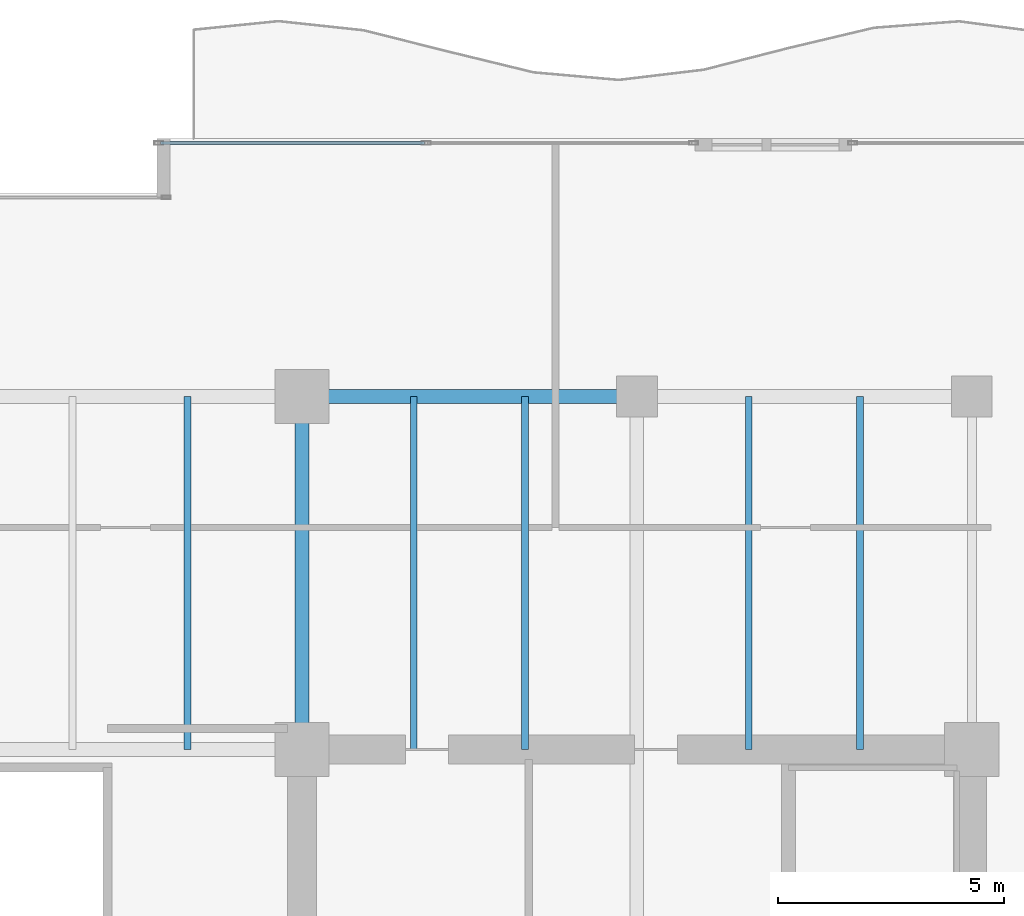
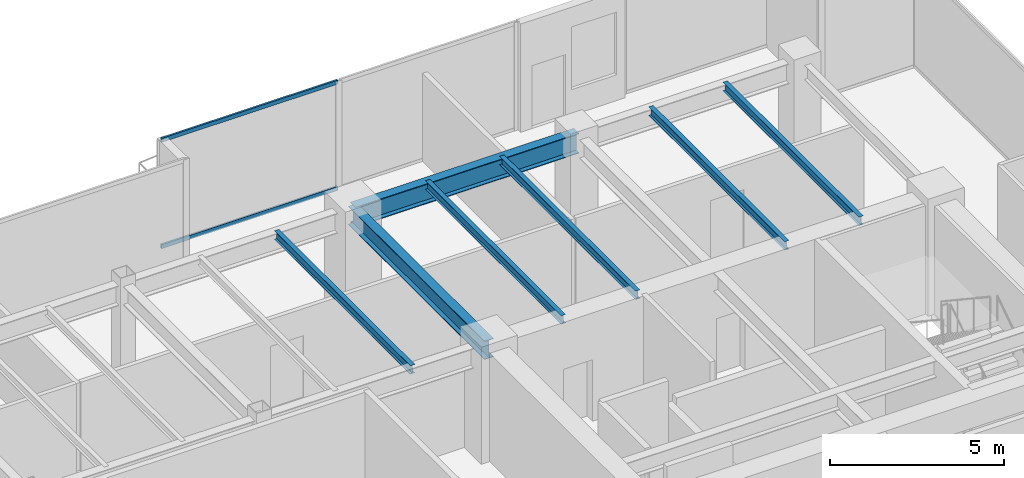
# One storey, part 17 of 30: 7 beams, 2 members, 1 element without a shape of its own.
"""IFC4 building model written with IfcOpenShell, lengths in metres."""

from ifc_helpers import new_model, si_unit, direction, frame, origin, origin_2d, place, context, subcontext, project, spatial, hollow_rectangle, i_section, extrude, source, transform, mapped, material, layer, layer_set, material_profile, profile_set, type_object, type_shapes, element, aggregate, save


model = new_model("IFC4")

# Units and contexts
model_context = context("Model", 3, precision=1e-05, world=origin(), true_north=direction((0.0, 1.0)))
body_context = subcontext(model_context, "Body", "Model", "MODEL_VIEW")
ifc_project = project(units=[si_unit("LENGTHUNIT", "METRE"), si_unit("AREAUNIT", "SQUARE_METRE"), si_unit("VOLUMEUNIT", "CUBIC_METRE"), si_unit("PLANEANGLEUNIT", "RADIAN"), si_unit("MASSUNIT", "GRAM", prefix="KILO")], contexts=[model_context])

# Site, building, storey
site_placement = place(None, origin())
site = spatial("IfcSite", under=ifc_project, at=site_placement, CompositionType="ELEMENT")
building_placement = place(site_placement, origin())
building = spatial("IfcBuilding", under=site, at=building_placement, Name="Haelvirn Gate Laboratories", CompositionType="ELEMENT")
storey_placement = place(building_placement, frame((0.0, 0.0, 113.300048828125)))
storey = spatial("IfcBuildingStorey", under=building, at=storey_placement, Name="L27", CompositionType="ELEMENT", Elevation=113.300048828125)

# Beams
ifc_material_1 = material(Name="Steel SM355", Category="steel")
ifc_material_profile_1 = material_profile(ifc_material_1, i_section(OverallWidth=0.300048828125, OverallDepth=0.64990234375, WebThickness=0.012939453125, FlangeThickness=0.02197265625, at=origin_2d()), Name="H-650x300x13x22")
ifc_profile_set_1 = profile_set([ifc_material_profile_1], Name="Steel SM355")
beam_type_1 = type_object("IfcBeamType", Name="BM-G-650", PredefinedType="BEAM", material=ifc_profile_set_1)
shared_shape_1 = source(origin(), body_context, "Body", "SweptSolid", [
    extrude(i_section(OverallWidth=0.300048828125, OverallDepth=0.64990234375, WebThickness=0.012939453125, FlangeThickness=0.02197265625, at=origin_2d()), origin(), (0.0, 0.0, 1.0), 7.800048828125),
])
type_shapes(beam_type_1, [shared_shape_1])
beam_1_placement = place(storey_placement, frame((52.60009765625, 33.800048828125, 3.46484375), z_axis=(0.0, 1.0, 0.0), x_axis=(-1.0, 0.0, 0.0)))
element("IfcBeam", 1, at=beam_1_placement, inside=storey, type_object=beam_type_1, Name="L27 Frame Girder X52.6 (33.8-41.6)", PredefinedType="BEAM", context=body_context, shape_type="MappedRepresentation", body=[
    mapped(shared_shape_1, transform((0.0, 0.0, 0.0), scale=1.0)),
])
ifc_material_profile_2 = material_profile(ifc_material_1, i_section(OverallWidth=0.300048828125, OverallDepth=0.699951171875, WebThickness=0.012939453125, FlangeThickness=0.02392578125, at=origin_2d()), Name="H-700x300x13x24")
ifc_profile_set_2 = profile_set([ifc_material_profile_2], Name="Steel SM355")
beam_type_2 = type_object("IfcBeamType", Name="BM-G-700", PredefinedType="BEAM", material=ifc_profile_set_2)
shared_shape_2 = source(origin(), body_context, "Body", "SweptSolid", [
    extrude(i_section(OverallWidth=0.300048828125, OverallDepth=0.699951171875, WebThickness=0.012939453125, FlangeThickness=0.02392578125, at=origin_2d()), origin(), (0.0, 0.0, 1.0), 7.39990234375),
])
type_shapes(beam_type_2, [shared_shape_2])
beam_2_placement = place(storey_placement, frame((52.60009765625, 41.60009765625, 3.43994140625), z_axis=(1.0, 0.0, 0.0), x_axis=(0.0, 1.0, 0.0)))
element("IfcBeam", 2, at=beam_2_placement, inside=storey, type_object=beam_type_2, Name="L27 Primary Girder Y41.6 (52.6-60.0)", PredefinedType="BEAM", context=body_context, shape_type="MappedRepresentation", body=[
    mapped(shared_shape_2, transform((0.0, 0.0, 0.0), scale=1.0)),
])
ifc_material_profile_3 = material_profile(ifc_material_1, i_section(OverallWidth=0.14990234375, OverallDepth=0.300048828125, WebThickness=0.006591796875, FlangeThickness=0.009033203125, at=origin_2d()), Name="H-300x150x6.5x9")
ifc_profile_set_3 = profile_set([ifc_material_profile_3], Name="Steel SM355")
beam_type_3 = type_object("IfcBeamType", Name="BM-J-300", PredefinedType="JOIST", material=ifc_profile_set_3)
shared_shape_3 = source(origin(), body_context, "Body", "SweptSolid", [
    extrude(i_section(OverallWidth=0.14990234375, OverallDepth=0.300048828125, WebThickness=0.006591796875, FlangeThickness=0.009033203125, at=origin_2d()), origin(), (0.0, 0.0, 1.0), 7.800048828125),
])
type_shapes(beam_type_3, [shared_shape_3])
for number, where, z_axis, x_axis, name in (
    (3, (50.070068359375, 33.800048828125, 3.639892578125), (0.0, 1.0, 0.0), (-1.0, 0.0, 0.0), "L27 Composite Lab Joist North X50.07"),
    (4, (55.070068359375, 33.800048828125, 3.639892578125), (0.0, 1.0, 0.0), (-1.0, 0.0, 0.0), "L27 Composite Lab Joist North X55.07"),
    (5, (57.530029296875, 33.800048828125, 3.639892578125), (0.0, 1.0, 0.0), (-1.0, 0.0, 0.0), "L27 Composite Lab Joist North X57.53"),
    (6, (62.469970703125, 33.800048828125, 3.639892578125), (0.0, 1.0, 0.0), (-1.0, 0.0, 0.0), "L27 Composite Lab Joist North X62.47"),
    (7, (64.929931640625, 33.800048828125, 3.639892578125), (0.0, 1.0, 0.0), (-1.0, 0.0, 0.0), "L27 Composite Lab Joist North X64.93"),
):
    element("IfcBeam", number, at=place(storey_placement, frame(where, z_axis=z_axis, x_axis=x_axis)), inside=storey, type_object=beam_type_3, Name=name, PredefinedType="JOIST", context=body_context, shape_type="MappedRepresentation", body=[
        mapped(shared_shape_3, transform((0.0, 0.0, 0.0), scale=1.0)),
    ])

# Curtain wall, members
ifc_material_2 = material(Name="Anodised bronze unitised aluminium & triple low-E glass", Category="aluminium")
ifc_layer = layer(ifc_material_2, 0.179931640625, Name="CW-SYS-3")
ifc_layer_set = layer_set([ifc_layer], Name="Anodised bronze unitised aluminium & triple low-E glass")
curtain_wall_type = type_object("IfcCurtainWallType", Name="CW-SYS-3", PredefinedType="NOTDEFINED", material=ifc_layer_set)
curtain_wall_placement = place(storey_placement, origin())
curtain_wall = element("IfcCurtainWall", 8, at=curtain_wall_placement, inside=storey, type_object=curtain_wall_type, Name="L27 Unitised Curtain Wall CW-L27-P0-E10-1", PredefinedType="NOTDEFINED")
ifc_material_3 = material(Name="Extruded aluminium 6063-T6 (anodised bronze)", Category="aluminium")
ifc_material_profile_4 = material_profile(ifc_material_3, hollow_rectangle(XDim=0.06494140625, YDim=0.139892578125, WallThickness=0.00390625, at=origin_2d()), Name="CWT-140x65x4")
ifc_profile_set_4 = profile_set([ifc_material_profile_4], Name="Extruded aluminium 6063-T6 (anodised bronze)")
member_type = type_object("IfcMemberType", Name="CWT-T140", PredefinedType="USERDEFINED", material=ifc_profile_set_4)
shared_shape_4 = source(origin(), body_context, "Body", "SweptSolid", [
    extrude(hollow_rectangle(XDim=0.06494140625, YDim=0.139892578125, WallThickness=0.00390625, at=origin_2d()), origin(), (0.0, 0.0, 1.0), 5.83251953125),
])
type_shapes(member_type, [shared_shape_4])
member_1_placement = place(storey_placement, frame((49.47509765625, 47.199951171875, 0.032470703125), z_axis=(1.0, 0.0, 0.0), x_axis=(0.0, 1.0, 0.0)))
member_1 = element("IfcMember", 9, at=member_1_placement, type_object=member_type, Name="CW3 transom 1.1", ObjectType="TRANSOM", PredefinedType="USERDEFINED", context=body_context, shape_type="MappedRepresentation", body=[
    mapped(shared_shape_4, transform((0.0, 0.0, 0.0), scale=1.0)),
])
member_2_placement = place(storey_placement, frame((49.47509765625, 47.199951171875, 3.757568359375), z_axis=(1.0, 0.0, 0.0), x_axis=(0.0, 1.0, 0.0)))
member_2 = element("IfcMember", 10, at=member_2_placement, type_object=member_type, Name="CW3 transom 1.2", ObjectType="TRANSOM", PredefinedType="USERDEFINED", context=body_context, shape_type="MappedRepresentation", body=[
    mapped(shared_shape_4, transform((0.0, 0.0, 0.0), scale=1.0)),
])
aggregate(curtain_wall, [member_1, member_2])

save(model, "model.ifc")
